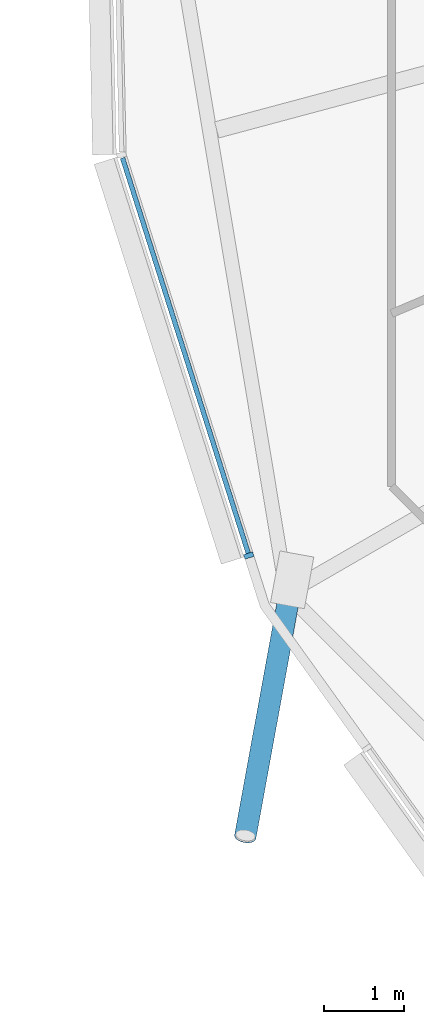
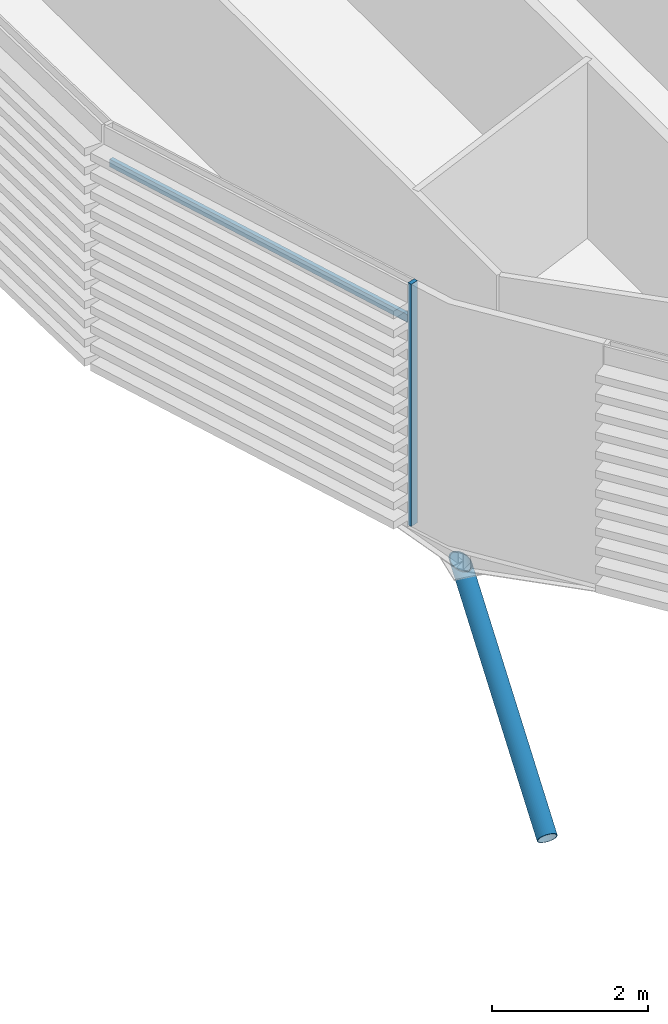
# One storey, part 7 of 38: 3 members, 1 element without a shape of its own.
"""IFC4 building model written with IfcOpenShell, lengths in metres."""

from ifc_helpers import new_model, si_unit, direction, frame, origin, origin_2d, place, context, subcontext, project, spatial, rectangle, hollow_circle, extrude, clip, halfspace, material, material_profile, profile_set, type_object, element, aggregate, save


model = new_model("IFC4")

# Units and contexts
model_context = context("Model", 3, precision=1e-05, world=origin(), true_north=direction((0.0, 1.0)))
body_context = subcontext(model_context, "Body", "Model", "MODEL_VIEW")
ifc_project = project(units=[si_unit("LENGTHUNIT", "METRE"), si_unit("AREAUNIT", "SQUARE_METRE"), si_unit("VOLUMEUNIT", "CUBIC_METRE"), si_unit("PLANEANGLEUNIT", "RADIAN"), si_unit("MASSUNIT", "GRAM", prefix="KILO")], contexts=[model_context])

# Site, building, storey
site_placement = place(None, origin())
site = spatial("IfcSite", under=ifc_project, at=site_placement, CompositionType="ELEMENT")
building_placement = place(site_placement, origin())
building = spatial("IfcBuilding", under=site, at=building_placement, Name="Rimbun Link Towers", CompositionType="ELEMENT")
storey_placement = place(building_placement, frame((0.0, 0.0, 123.39990234375)))
storey = spatial("IfcBuildingStorey", under=building, at=storey_placement, Name="L30", CompositionType="ELEMENT", Elevation=123.39990234375)

# Curtain wall, members
ifc_material_1 = material(Name="Aluminium 6063-T6 and low-iron glass", Category="aluminium")
curtain_wall_type = type_object("IfcCurtainWallType", Name="CW1-Z2 unitised vision wall (zone 2)", PredefinedType="NOTDEFINED", material=ifc_material_1)
curtain_wall_placement = place(storey_placement, origin())
curtain_wall = element("IfcCurtainWall", 1, at=curtain_wall_placement, inside=storey, type_object=curtain_wall_type, Name="CW1 L30 T2", PredefinedType="NOTDEFINED")
ifc_material_2 = material(Name="Aluminium 6063-T6", Category="aluminium")
ifc_material_profile_1 = material_profile(ifc_material_2, rectangle(XDim=0.1201171875, YDim=0.06005859375, at=origin_2d()), Name="MULLION 60X120")
ifc_profile_set_1 = profile_set([ifc_material_profile_1], Name="Aluminium 6063-T6")
member_type_1 = type_object("IfcMemberType", Name="CW1 mullion 60X120", PredefinedType="MULLION", material=ifc_profile_set_1)
member_1_placement = place(storey_placement, frame((11.683837890625, -10.837158203125, 0.0), z_axis=(0.0, 0.0, 1.0), x_axis=(-0.952967205153, -0.303073433186, 0.0)))
member_1 = element("IfcMember", 2, at=member_1_placement, type_object=member_type_1, Name="CW1 mullion", PredefinedType="MULLION", context=body_context, shape_type="SweptSolid", body=[
    extrude(rectangle(XDim=0.1201171875, YDim=0.06005859375, at=origin_2d()), origin(), (0.0, 0.0, 1.0), 3.800048828125),
])
ifc_material_3 = material(Name="Aluminium 6063-T6", Category="aluminium")
ifc_material_profile_2 = material_profile(ifc_material_3, rectangle(XDim=0.06005859375, YDim=0.1201171875, at=origin_2d()), Name="TRANSOM 60X120")
ifc_profile_set_2 = profile_set([ifc_material_profile_2], Name="Aluminium 6063-T6")
member_type_2 = type_object("IfcMemberType", Name="CW1 transom 60X120", PredefinedType="USERDEFINED", material=ifc_profile_set_2)
member_2_placement = place(storey_placement, frame((11.6767578125, -10.807861328125, 3.2001953125), z_axis=(-0.30309935161, 0.952958961894, 0.0), x_axis=(-0.952958961894, -0.30309935161, 0.0)))
member_2 = element("IfcMember", 3, at=member_2_placement, type_object=member_type_2, Name="CW1 transom", ObjectType="TRANSOM", PredefinedType="USERDEFINED", context=body_context, shape_type="SweptSolid", body=[
    extrude(rectangle(XDim=0.06005859375, YDim=0.1201171875, at=origin_2d()), origin(), (0.0, 0.0, 1.0), 5.217041015625),
])
aggregate(curtain_wall, [member_1, member_2])

# Member
ifc_material_4 = material(Name="Steel S355J2H", Category="steel")
ifc_material_profile_3 = material_profile(ifc_material_4, hollow_circle(Radius=0.136474609375, WallThickness=0.012451171875, at=origin_2d()), Name="CHS 273x12.5")
ifc_profile_set_3 = profile_set([ifc_material_profile_3], Name="Steel S355J2H")
member_type_3 = type_object("IfcMemberType", Name="Floor edge link CHS 273x12.5", PredefinedType="BRACE", material=ifc_profile_set_3)
member_3_placement = place(storey_placement, frame((12.202880859375, -11.285400390625, -0.727783203125), z_axis=(-0.150517379092, -0.82413151981, -0.546032743201), x_axis=(0.983727734845, -0.179665644172, 0.0)))
element("IfcMember", 4, at=member_3_placement, inside=storey, type_object=member_type_3, Name="Floor edge link T2 L30 11", PredefinedType="BRACE", context=body_context, shape_type="Clipping", body=[
    clip(extrude(hollow_circle(Radius=0.136474609375, WallThickness=0.012451171875, at=origin_2d()), frame((0.0, 0.0, -0.437255859375)), (0.0, 0.0, 1.0), 4.18408203125), halfspace(frame((0.0, 0.0, -0.2060546875), z_axis=(0.0, 0.837763835071, -0.546032743201)), False)),
])

save(model, "model.ifc")
